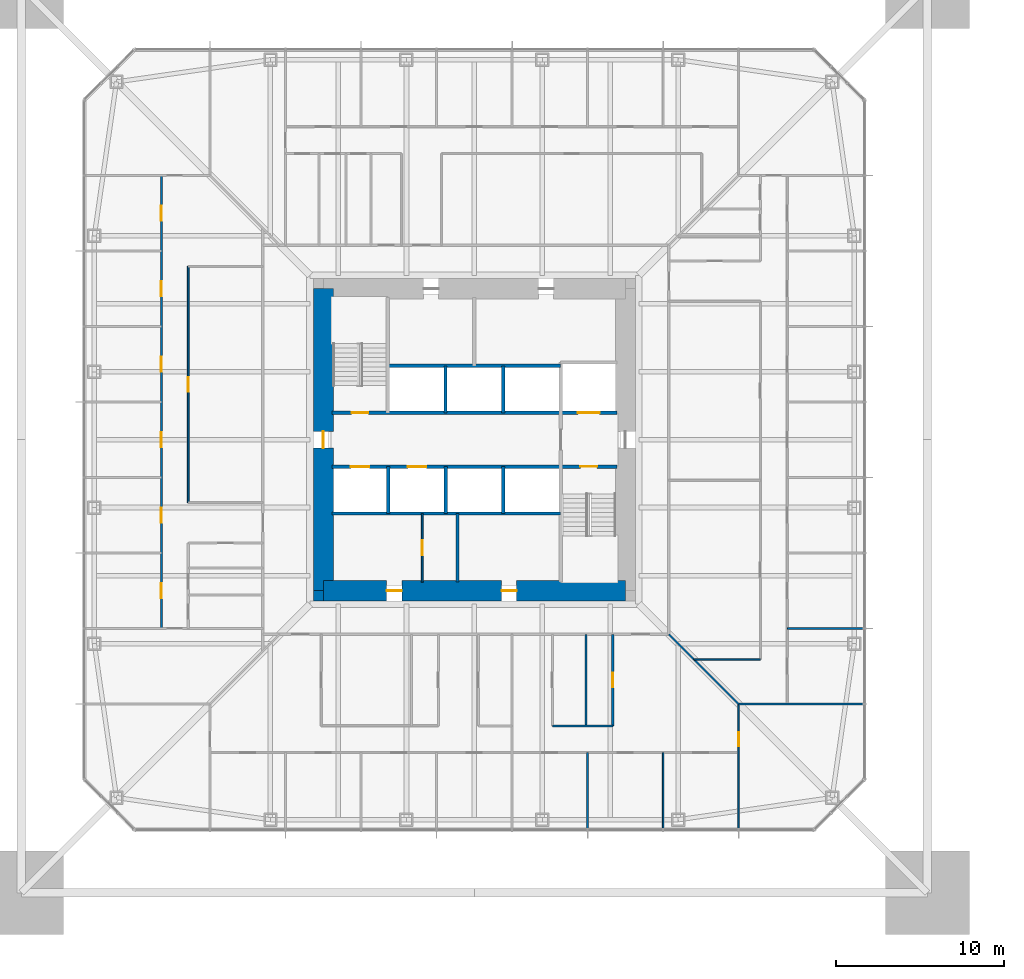
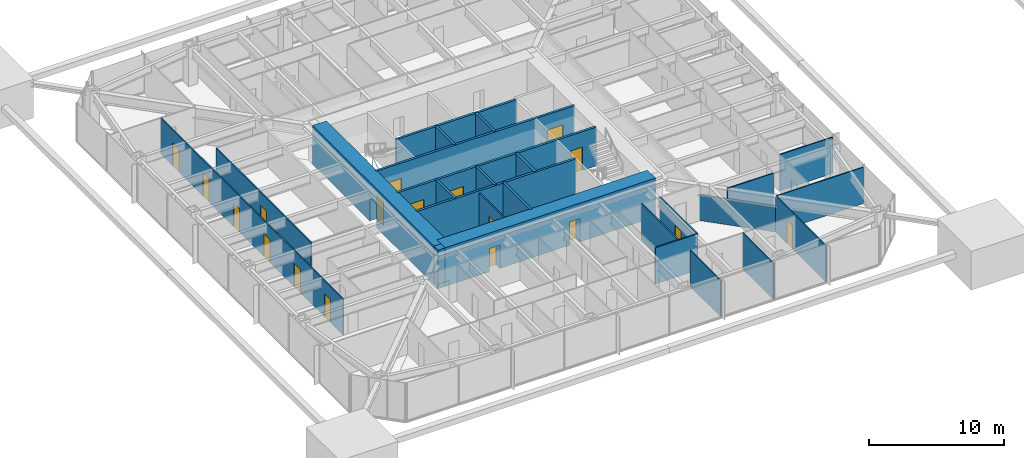
# One storey, part 16 of 27: 26 walls, 18 doors, 18 openings.
"""IFC4 building model written with IfcOpenShell, lengths in metres."""

from ifc_helpers import new_model, si_unit, direction, frame, frame_2d, origin, place, context, subcontext, project, spatial, rectangle, extrude, material, layer, layer_set, type_object, element, fill, save


model = new_model("IFC4")

# Units and contexts
model_context = context("Model", 3, precision=1e-05, world=origin(), true_north=direction((0.0, 1.0)))
body_context = subcontext(model_context, "Body", "Model", "MODEL_VIEW")
ifc_project = project(units=[si_unit("LENGTHUNIT", "METRE"), si_unit("AREAUNIT", "SQUARE_METRE"), si_unit("VOLUMEUNIT", "CUBIC_METRE"), si_unit("PLANEANGLEUNIT", "RADIAN"), si_unit("MASSUNIT", "GRAM", prefix="KILO")], contexts=[model_context])

# Site, building, storey
site_placement = place(None, origin())
site = spatial("IfcSite", under=ifc_project, at=site_placement, CompositionType="ELEMENT")
building_placement = place(site_placement, origin())
building = spatial("IfcBuilding", under=site, at=building_placement, Name="Iwan Alto Co-Living Towers", CompositionType="ELEMENT")
storey_placement = place(building_placement, frame((0.0, 0.0, 53.5)))
storey = spatial("IfcBuildingStorey", under=building, at=storey_placement, Name="L14", CompositionType="ELEMENT", Elevation=53.5)

# Walls
ifc_material_1 = material(Name="Gypsum board")
ifc_layer_1 = layer(ifc_material_1, 0.012451171875, Name="Board", Category="Finish")
ifc_material_2 = material(Name="Steel ASTM A1003 ST33H cold-formed studs", Category="steel")
ifc_layer_2 = layer(ifc_material_2, 0.074951171875, Name="Studs", Category="Framing")
ifc_layer_3 = layer(ifc_material_1, 0.012451171875, Name="Board", Category="Finish")
ifc_layer_set_1 = layer_set([ifc_layer_1, ifc_layer_2, ifc_layer_3], Name="PARTITION 100")
wall_type_1 = type_object("IfcWallType", Name="PARTITION 100", PredefinedType="PARTITIONING", material=ifc_layer_set_1)
wall_1_placement = place(storey_placement, frame((15.75, -15.75, 0.0), z_axis=(0.0, 0.0, 1.0), x_axis=(1.0, 0.0, 0.0)))
element("IfcWall", 1, at=wall_1_placement, inside=storey, type_object=wall_type_1, Name="Partition L14", PredefinedType="PARTITIONING", context=body_context, shape_type="SweptSolid", body=[
    extrude(rectangle(XDim=7.43994140625, YDim=0.10009765625, at=frame_2d((3.719970703125, 0.0))), origin(), (0.0, 0.0, 1.0), 3.27001953125),
])
wall_2_placement = place(storey_placement, frame((13.090087890625, -13.090087890625, 0.0), z_axis=(0.0, 0.0, 1.0), x_axis=(1.0, 0.0, 0.0)))
element("IfcWall", 2, at=wall_2_placement, inside=storey, type_object=wall_type_1, Name="Partition L14", PredefinedType="PARTITIONING", context=body_context, shape_type="SweptSolid", body=[
    extrude(rectangle(XDim=3.9599609375, YDim=0.10009765625, at=frame_2d((1.97998046875, 0.0))), origin(), (0.0, 0.0, 1.0), 3.27001953125),
])
wall_3_placement = place(storey_placement, frame((18.64990234375, -11.25, 0.0), z_axis=(0.0, 0.0, 1.0), x_axis=(1.0, 0.0, 0.0)))
element("IfcWall", 3, at=wall_3_placement, inside=storey, type_object=wall_type_1, Name="Partition L14", PredefinedType="PARTITIONING", context=body_context, shape_type="SweptSolid", body=[
    extrude(rectangle(XDim=4.5400390625, YDim=0.10009765625, at=frame_2d((2.27001953125, 0.0))), origin(), (0.0, 0.0, 1.0), 3.27001953125),
])

# Wall, opening, door
wall_4_placement = place(storey_placement, frame((15.75, -23.18994140625, 0.0), z_axis=(0.0, 0.0, 1.0), x_axis=(0.0, 1.0, 0.0)))
wall_4 = element("IfcWall", 4, at=wall_4_placement, inside=storey, type_object=wall_type_1, Name="Partition L14", PredefinedType="PARTITIONING", context=body_context, shape_type="SweptSolid", body=[
    extrude(rectangle(XDim=7.43994140625, YDim=0.10009765625, at=frame_2d((3.719970703125, 0.0))), origin(), (0.0, 0.0, 1.0), 3.27001953125),
])
opening_1_placement = place(wall_4_placement, frame((4.9150390625, 0.0, 0.0)))
opening_1 = element("IfcOpeningElement", 5, at=opening_1_placement, cuts=wall_4, Name="Opening D2", PredefinedType="OPENING", context=body_context, shape_type="SweptSolid", body=[
    extrude(rectangle(XDim=0.85009765625, YDim=2.10009765625, at=frame_2d((0.425048828125, 1.050048828125))), frame((0.0, 0.06005859375, 0.0), z_axis=(0.0, -1.0, 0.0), x_axis=(1.0, 0.0, 0.0)), (0.0, 0.0, 1.0), 0.1201171875),
])
ifc_material_3 = material(Name="Timber leaf in steel frame", Category="steel")
door_type_1 = type_object("IfcDoorType", Name="ROOM DOOR 850X2100", OperationType="SINGLE_SWING_LEFT", PredefinedType="DOOR", material=ifc_material_3)
door_1_placement = place(opening_1_placement, origin())
door_1 = element("IfcDoor", 6, at=door_1_placement, inside=storey, type_object=door_type_1, Name="Shared kitchen and dining room door L14", OperationType="SINGLE_SWING_LEFT", OverallHeight=2.10009765625, OverallWidth=0.85009765625, PredefinedType="DOOR", context=body_context, shape_type="SweptSolid", body=[
    extrude(rectangle(XDim=0.85009765625, YDim=2.10009765625, at=frame_2d((0.425048828125, 1.050048828125))), frame((0.0, 0.02490234375, 0.0), z_axis=(0.0, -1.0, 0.0), x_axis=(1.0, 0.0, 0.0)), (0.0, 0.0, 1.0), 0.050048828125),
])
fill(opening_1, door_1)

# Walls
for number, where, z_axis, x_axis, name in (
    (7, (11.25, -23.18994140625, 0.0), (0.0, 0.0, 1.0), (0.0, 1.0, 0.0), "Partition L14"),
    (8, (6.75, -23.18994140625, 0.0), (0.0, 0.0, 1.0), (0.0, 1.0, 0.0), "Partition L14"),
):
    element("IfcWall", number, at=place(storey_placement, frame(where, z_axis=z_axis, x_axis=x_axis)), inside=storey, type_object=wall_type_1, Name=name, PredefinedType="PARTITIONING", context=body_context, shape_type="SweptSolid", body=[
        extrude(rectangle(XDim=4.5400390625, YDim=0.10009765625, at=frame_2d((2.27001953125, 0.0))), origin(), (0.0, 0.0, 1.0), 3.27001953125),
    ])

# Wall, opening, door
wall_5_placement = place(storey_placement, frame((-3.10009765625, -8.489990234375, 0.0), z_axis=(0.0, 0.0, 1.0), x_axis=(0.0, 1.0, 0.0)))
wall_5 = element("IfcWall", 9, at=wall_5_placement, inside=storey, type_object=wall_type_1, Name="Partition L14", PredefinedType="PARTITIONING", context=body_context, shape_type="SweptSolid", body=[
    extrude(rectangle(XDim=4.090087890625, YDim=0.10009765625, at=frame_2d((2.044921875, 0.0))), origin(), (0.0, 0.0, 1.0), 3.300048828125),
])
opening_2_placement = place(wall_5_placement, frame((1.594970703125, 0.0, 0.0)))
opening_2 = element("IfcOpeningElement", 10, at=opening_2_placement, cuts=wall_5, Name="Opening D16", PredefinedType="OPENING", context=body_context, shape_type="SweptSolid", body=[
    extrude(rectangle(XDim=0.89990234375, YDim=2.10009765625, at=frame_2d((0.449951171875, 1.050048828125))), frame((0.0, 0.06005859375, 0.0), z_axis=(0.0, -1.0, 0.0), x_axis=(1.0, 0.0, 0.0)), (0.0, 0.0, 1.0), 0.1201171875),
])
ifc_material_4 = material(Name="Timber leaf in steel frame", Category="steel")
door_type_2 = type_object("IfcDoorType", Name="CUPBOARD SLIDING DOOR 900X2100", OperationType="SLIDING_TO_LEFT", PredefinedType="DOOR", material=ifc_material_4)
door_2_placement = place(opening_2_placement, origin())
door_2 = element("IfcDoor", 11, at=door_2_placement, inside=storey, type_object=door_type_2, Name="Recycling store door L14", OperationType="SLIDING_TO_LEFT", OverallHeight=2.10009765625, OverallWidth=0.89990234375, PredefinedType="DOOR", context=body_context, shape_type="SweptSolid", body=[
    extrude(rectangle(XDim=0.89990234375, YDim=2.10009765625, at=frame_2d((0.449951171875, 1.050048828125))), frame((0.0, 0.02490234375, 0.0), z_axis=(0.0, -1.0, 0.0), x_axis=(1.0, 0.0, 0.0)), (0.0, 0.0, 1.0), 0.050048828125),
])
fill(opening_2, door_2)

wall_6_placement = place(storey_placement, frame((-17.050048828125, -3.75, 0.0), z_axis=(0.0, 0.0, 1.0), x_axis=(0.0, 1.0, 0.0)))
wall_6 = element("IfcWall", 12, at=wall_6_placement, inside=storey, type_object=wall_type_1, Name="Partition L14", PredefinedType="PARTITIONING", context=body_context, shape_type="SweptSolid", body=[
    extrude(rectangle(XDim=14.080078125, YDim=0.10009765625, at=frame_2d((7.0400390625, 0.0))), origin(), (0.0, 0.0, 1.0), 3.27001953125),
])
opening_3_placement = place(wall_6_placement, frame((6.614990234375, 0.0, 0.0)))
opening_3 = element("IfcOpeningElement", 13, at=opening_3_placement, cuts=wall_6, Name="Opening D2", PredefinedType="OPENING", context=body_context, shape_type="SweptSolid", body=[
    extrude(rectangle(XDim=0.85009765625, YDim=2.10009765625, at=frame_2d((0.425048828125, 1.050048828125))), frame((0.0, 0.06005859375, 0.0), z_axis=(0.0, -1.0, 0.0), x_axis=(1.0, 0.0, 0.0)), (0.0, 0.0, 1.0), 0.1201171875),
])
door_3_placement = place(opening_3_placement, origin())
door_3 = element("IfcDoor", 14, at=door_3_placement, inside=storey, type_object=door_type_1, Name="Study lounge door L14", OperationType="SINGLE_SWING_RIGHT", OverallHeight=2.10009765625, OverallWidth=0.85009765625, PredefinedType="DOOR", context=body_context, shape_type="SweptSolid", body=[
    extrude(rectangle(XDim=0.85009765625, YDim=2.10009765625, at=frame_2d((0.425048828125, 1.050048828125))), frame((0.0, 0.02490234375, 0.0), z_axis=(0.0, -1.0, 0.0), x_axis=(1.0, 0.0, 0.0)), (0.0, 0.0, 1.0), 0.050048828125),
])
fill(opening_3, door_3)

# Wall, openings, doors
wall_7_placement = place(storey_placement, frame((-18.64990234375, -11.25, 0.0), z_axis=(0.0, 0.0, 1.0), x_axis=(0.0, 1.0, 0.0)))
wall_7 = element("IfcWall", 15, at=wall_7_placement, inside=storey, type_object=wall_type_1, Name="Partition L14", PredefinedType="PARTITIONING", context=body_context, shape_type="SweptSolid", body=[
    extrude(rectangle(XDim=27.0, YDim=0.10009765625, at=frame_2d((13.5, 0.0))), origin(), (0.0, 0.0, 1.0), 3.27001953125),
])
opening_4_placement = place(wall_7_placement, frame((24.300048828125, 0.0, 0.0)))
opening_4 = element("IfcOpeningElement", 16, at=opening_4_placement, cuts=wall_7, Name="Opening D1", PredefinedType="OPENING", context=body_context, shape_type="SweptSolid", body=[
    extrude(rectangle(XDim=0.89990234375, YDim=2.10009765625, at=frame_2d((0.449951171875, 1.050048828125))), frame((0.0, 0.06005859375, 0.0), z_axis=(0.0, -1.0, 0.0), x_axis=(1.0, 0.0, 0.0)), (0.0, 0.0, 1.0), 0.1201171875),
])
opening_5_placement = place(wall_7_placement, frame((19.800048828125, 0.0, 0.0)))
opening_5 = element("IfcOpeningElement", 17, at=opening_5_placement, cuts=wall_7, Name="Opening D1", PredefinedType="OPENING", context=body_context, shape_type="SweptSolid", body=[
    extrude(rectangle(XDim=0.89990234375, YDim=2.10009765625, at=frame_2d((0.449951171875, 1.050048828125))), frame((0.0, 0.06005859375, 0.0), z_axis=(0.0, -1.0, 0.0), x_axis=(1.0, 0.0, 0.0)), (0.0, 0.0, 1.0), 0.1201171875),
])
opening_6_placement = place(wall_7_placement, frame((15.300048828125, 0.0, 0.0)))
opening_6 = element("IfcOpeningElement", 18, at=opening_6_placement, cuts=wall_7, Name="Opening D1", PredefinedType="OPENING", context=body_context, shape_type="SweptSolid", body=[
    extrude(rectangle(XDim=0.89990234375, YDim=2.10009765625, at=frame_2d((0.449951171875, 1.050048828125))), frame((0.0, 0.06005859375, 0.0), z_axis=(0.0, -1.0, 0.0), x_axis=(1.0, 0.0, 0.0)), (0.0, 0.0, 1.0), 0.1201171875),
])
opening_7_placement = place(wall_7_placement, frame((10.800048828125, 0.0, 0.0)))
opening_7 = element("IfcOpeningElement", 19, at=opening_7_placement, cuts=wall_7, Name="Opening D1", PredefinedType="OPENING", context=body_context, shape_type="SweptSolid", body=[
    extrude(rectangle(XDim=0.89990234375, YDim=2.10009765625, at=frame_2d((0.449951171875, 1.050048828125))), frame((0.0, 0.06005859375, 0.0), z_axis=(0.0, -1.0, 0.0), x_axis=(1.0, 0.0, 0.0)), (0.0, 0.0, 1.0), 0.1201171875),
])
opening_8_placement = place(wall_7_placement, frame((6.300048828125, 0.0, 0.0)))
opening_8 = element("IfcOpeningElement", 20, at=opening_8_placement, cuts=wall_7, Name="Opening D1", PredefinedType="OPENING", context=body_context, shape_type="SweptSolid", body=[
    extrude(rectangle(XDim=0.89990234375, YDim=2.10009765625, at=frame_2d((0.449951171875, 1.050048828125))), frame((0.0, 0.06005859375, 0.0), z_axis=(0.0, -1.0, 0.0), x_axis=(1.0, 0.0, 0.0)), (0.0, 0.0, 1.0), 0.1201171875),
])
opening_9_placement = place(wall_7_placement, frame((1.800048828125, 0.0, 0.0)))
opening_9 = element("IfcOpeningElement", 21, at=opening_9_placement, cuts=wall_7, Name="Opening D1", PredefinedType="OPENING", context=body_context, shape_type="SweptSolid", body=[
    extrude(rectangle(XDim=0.89990234375, YDim=2.10009765625, at=frame_2d((0.449951171875, 1.050048828125))), frame((0.0, 0.06005859375, 0.0), z_axis=(0.0, -1.0, 0.0), x_axis=(1.0, 0.0, 0.0)), (0.0, 0.0, 1.0), 0.1201171875),
])
ifc_material_5 = material(Name="Timber leaf in steel frame", Category="steel")
door_type_3 = type_object("IfcDoorType", Name="BEDROOM DOOR 900X2100", OperationType="SINGLE_SWING_LEFT", PredefinedType="DOOR", material=ifc_material_5)
door_4_placement = place(opening_4_placement, frame((0.89990234375, 0.0, 0.0), z_axis=(0.0, 0.0, 1.0), x_axis=(-1.0, 0.0, 0.0)))
door_4 = element("IfcDoor", 22, at=door_4_placement, inside=storey, type_object=door_type_3, Name="Study bedroom door L14", OperationType="SINGLE_SWING_LEFT", OverallHeight=2.10009765625, OverallWidth=0.89990234375, PredefinedType="DOOR", context=body_context, shape_type="SweptSolid", body=[
    extrude(rectangle(XDim=0.89990234375, YDim=2.10009765625, at=frame_2d((0.449951171875, 1.050048828125))), frame((0.0, 0.02490234375, 0.0), z_axis=(0.0, -1.0, 0.0), x_axis=(1.0, 0.0, 0.0)), (0.0, 0.0, 1.0), 0.050048828125),
])
fill(opening_4, door_4)
door_5_placement = place(opening_5_placement, frame((0.89990234375, 0.0, 0.0), z_axis=(0.0, 0.0, 1.0), x_axis=(-1.0, 0.0, 0.0)))
door_5 = element("IfcDoor", 23, at=door_5_placement, inside=storey, type_object=door_type_3, Name="Study bedroom door L14", OperationType="SINGLE_SWING_LEFT", OverallHeight=2.10009765625, OverallWidth=0.89990234375, PredefinedType="DOOR", context=body_context, shape_type="SweptSolid", body=[
    extrude(rectangle(XDim=0.89990234375, YDim=2.10009765625, at=frame_2d((0.449951171875, 1.050048828125))), frame((0.0, 0.02490234375, 0.0), z_axis=(0.0, -1.0, 0.0), x_axis=(1.0, 0.0, 0.0)), (0.0, 0.0, 1.0), 0.050048828125),
])
fill(opening_5, door_5)
door_6_placement = place(opening_6_placement, frame((0.89990234375, 0.0, 0.0), z_axis=(0.0, 0.0, 1.0), x_axis=(-1.0, 0.0, 0.0)))
door_6 = element("IfcDoor", 24, at=door_6_placement, inside=storey, type_object=door_type_3, Name="Study bedroom door L14", OperationType="SINGLE_SWING_LEFT", OverallHeight=2.10009765625, OverallWidth=0.89990234375, PredefinedType="DOOR", context=body_context, shape_type="SweptSolid", body=[
    extrude(rectangle(XDim=0.89990234375, YDim=2.10009765625, at=frame_2d((0.449951171875, 1.050048828125))), frame((0.0, 0.02490234375, 0.0), z_axis=(0.0, -1.0, 0.0), x_axis=(1.0, 0.0, 0.0)), (0.0, 0.0, 1.0), 0.050048828125),
])
fill(opening_6, door_6)
door_7_placement = place(opening_7_placement, frame((0.89990234375, 0.0, 0.0), z_axis=(0.0, 0.0, 1.0), x_axis=(-1.0, 0.0, 0.0)))
door_7 = element("IfcDoor", 25, at=door_7_placement, inside=storey, type_object=door_type_3, Name="Study bedroom door L14", OperationType="SINGLE_SWING_RIGHT", OverallHeight=2.10009765625, OverallWidth=0.89990234375, PredefinedType="DOOR", context=body_context, shape_type="SweptSolid", body=[
    extrude(rectangle(XDim=0.89990234375, YDim=2.10009765625, at=frame_2d((0.449951171875, 1.050048828125))), frame((0.0, 0.02490234375, 0.0), z_axis=(0.0, -1.0, 0.0), x_axis=(1.0, 0.0, 0.0)), (0.0, 0.0, 1.0), 0.050048828125),
])
fill(opening_7, door_7)
door_8_placement = place(opening_8_placement, frame((0.89990234375, 0.0, 0.0), z_axis=(0.0, 0.0, 1.0), x_axis=(-1.0, 0.0, 0.0)))
door_8 = element("IfcDoor", 26, at=door_8_placement, inside=storey, type_object=door_type_3, Name="Study bedroom door L14", OperationType="SINGLE_SWING_RIGHT", OverallHeight=2.10009765625, OverallWidth=0.89990234375, PredefinedType="DOOR", context=body_context, shape_type="SweptSolid", body=[
    extrude(rectangle(XDim=0.89990234375, YDim=2.10009765625, at=frame_2d((0.449951171875, 1.050048828125))), frame((0.0, 0.02490234375, 0.0), z_axis=(0.0, -1.0, 0.0), x_axis=(1.0, 0.0, 0.0)), (0.0, 0.0, 1.0), 0.050048828125),
])
fill(opening_8, door_8)
door_9_placement = place(opening_9_placement, frame((0.89990234375, 0.0, 0.0), z_axis=(0.0, 0.0, 1.0), x_axis=(-1.0, 0.0, 0.0)))
door_9 = element("IfcDoor", 27, at=door_9_placement, inside=storey, type_object=door_type_3, Name="Study bedroom door L14", OperationType="SINGLE_SWING_RIGHT", OverallHeight=2.10009765625, OverallWidth=0.89990234375, PredefinedType="DOOR", context=body_context, shape_type="SweptSolid", body=[
    extrude(rectangle(XDim=0.89990234375, YDim=2.10009765625, at=frame_2d((0.449951171875, 1.050048828125))), frame((0.0, 0.02490234375, 0.0), z_axis=(0.0, -1.0, 0.0), x_axis=(1.0, 0.0, 0.0)), (0.0, 0.0, 1.0), 0.050048828125),
])
fill(opening_9, door_9)

# Walls
wall_8_placement = place(storey_placement, frame((15.75, -15.75, 0.0), z_axis=(0.0, 0.0, 1.0), x_axis=(-0.707106781187, 0.707106781187, 0.0)))
element("IfcWall", 28, at=wall_8_placement, inside=storey, type_object=wall_type_1, Name="Partition L14", PredefinedType="PARTITIONING", context=body_context, shape_type="SweptSolid", body=[
    extrude(rectangle(XDim=5.868896484375, YDim=0.10009765625, at=frame_2d((2.9345703125, 0.0))), origin(), (0.0, 0.0, 1.0), 2.343017578125),
])
ifc_material_6 = material(Name="Concrete f'c 70 MPa", Category="concrete")
ifc_layer_4 = layer(ifc_material_6, 0.199951171875)
ifc_layer_set_2 = layer_set([ifc_layer_4], Name="SHAFT WALL 200")
wall_type_2 = type_object("IfcWallType", Name="SHAFT WALL 200", PredefinedType="SOLIDWALL", material=ifc_layer_set_2)
wall_9_placement = place(storey_placement, frame((-8.489990234375, -4.39990234375, 0.0), z_axis=(0.0, 0.0, 1.0), x_axis=(1.0, 0.0, 0.0)))
element("IfcWall", 29, at=wall_9_placement, inside=storey, type_object=wall_type_2, Name="Shaft wall L14", PredefinedType="SOLIDWALL", context=body_context, shape_type="SweptSolid", body=[
    extrude(rectangle(XDim=13.639892578125, YDim=0.199951171875, at=frame_2d((6.81982421875, 0.0))), origin(), (0.0, 0.0, 1.0), 3.5),
])

# Wall, openings, doors
wall_10_placement = place(storey_placement, frame((-8.489990234375, -1.60009765625, 0.0), z_axis=(0.0, 0.0, 1.0), x_axis=(1.0, 0.0, 0.0)))
wall_10 = element("IfcWall", 30, at=wall_10_placement, inside=storey, type_object=wall_type_2, Name="Shaft wall L14", PredefinedType="SOLIDWALL", context=body_context, shape_type="SweptSolid", body=[
    extrude(rectangle(XDim=16.97998046875, YDim=0.199951171875, at=frame_2d((8.489990234375, 0.0))), origin(), (0.0, 0.0, 1.0), 3.5),
])
opening_10_placement = place(wall_10_placement, frame((14.81005859375, 0.0, 0.0)))
opening_10 = element("IfcOpeningElement", 31, at=opening_10_placement, cuts=wall_10, Name="Opening D5", PredefinedType="OPENING", context=body_context, shape_type="SweptSolid", body=[
    extrude(rectangle(XDim=1.0, YDim=2.10009765625, at=frame_2d((0.5, 1.050048828125))), frame((0.0, 0.10986328125, 0.0), z_axis=(0.0, -1.0, 0.0), x_axis=(1.0, 0.0, 0.0)), (0.0, 0.0, 1.0), 0.219970703125),
])
opening_11_placement = place(wall_10_placement, frame((1.133056640625, 0.0, 0.0)))
opening_11 = element("IfcOpeningElement", 32, at=opening_11_placement, cuts=wall_10, Name="Opening LD", PredefinedType="OPENING", context=body_context, shape_type="SweptSolid", body=[
    extrude(rectangle(XDim=1.10009765625, YDim=2.10009765625, at=frame_2d((0.550048828125, 1.050048828125))), frame((0.0, 0.10986328125, 0.0), z_axis=(0.0, -1.0, 0.0), x_axis=(1.0, 0.0, 0.0)), (0.0, 0.0, 1.0), 0.219970703125),
])
opening_12_placement = place(wall_10_placement, frame((4.528076171875, 0.0, 0.0)))
opening_12 = element("IfcOpeningElement", 33, at=opening_12_placement, cuts=wall_10, Name="Opening LD", PredefinedType="OPENING", context=body_context, shape_type="SweptSolid", body=[
    extrude(rectangle(XDim=1.10009765625, YDim=2.10009765625, at=frame_2d((0.550048828125, 1.050048828125))), frame((0.0, 0.10986328125, 0.0), z_axis=(0.0, -1.0, 0.0), x_axis=(1.0, 0.0, 0.0)), (0.0, 0.0, 1.0), 0.219970703125),
])
ifc_material_7 = material(Name="Steel frame with timber leaf", Category="steel")
door_type_4 = type_object("IfcDoorType", Name="LIFT LANDING DOOR 1100X2100", OperationType="DOUBLE_DOOR_SLIDING", PredefinedType="DOOR", material=ifc_material_7)
door_10_placement = place(opening_11_placement, origin())
door_10 = element("IfcDoor", 34, at=door_10_placement, inside=storey, type_object=door_type_4, Name="Lift P1-1 landing door L14", OperationType="DOUBLE_DOOR_SLIDING", OverallHeight=2.10009765625, OverallWidth=1.10009765625, PredefinedType="DOOR", context=body_context, shape_type="SweptSolid", body=[
    extrude(rectangle(XDim=1.10009765625, YDim=2.10009765625, at=frame_2d((0.550048828125, 1.050048828125))), frame((0.0, 0.02490234375, 0.0), z_axis=(0.0, -1.0, 0.0), x_axis=(1.0, 0.0, 0.0)), (0.0, 0.0, 1.0), 0.050048828125),
])
fill(opening_11, door_10)
door_11_placement = place(opening_12_placement, origin())
door_11 = element("IfcDoor", 35, at=door_11_placement, inside=storey, type_object=door_type_4, Name="Lift P1-2 landing door L14", OperationType="DOUBLE_DOOR_SLIDING", OverallHeight=2.10009765625, OverallWidth=1.10009765625, PredefinedType="DOOR", context=body_context, shape_type="SweptSolid", body=[
    extrude(rectangle(XDim=1.10009765625, YDim=2.10009765625, at=frame_2d((0.550048828125, 1.050048828125))), frame((0.0, 0.02490234375, 0.0), z_axis=(0.0, -1.0, 0.0), x_axis=(1.0, 0.0, 0.0)), (0.0, 0.0, 1.0), 0.050048828125),
])
fill(opening_12, door_11)
ifc_material_8 = material(Name="Steel frame with timber leaf", Category="steel")
door_type_5 = type_object("IfcDoorType", Name="STAIR DOOR FD120S 1000X2100", OperationType="SINGLE_SWING_LEFT", PredefinedType="DOOR", material=ifc_material_8)
door_12_placement = place(opening_10_placement, frame((1.0, 0.0, 0.0), z_axis=(0.0, 0.0, 1.0), x_axis=(-1.0, 0.0, 0.0)))
door_12 = element("IfcDoor", 36, at=door_12_placement, inside=storey, type_object=door_type_5, Name="Stair S2 door L14", OperationType="SINGLE_SWING_RIGHT", OverallHeight=2.10009765625, OverallWidth=1.0, PredefinedType="DOOR", context=body_context, shape_type="SweptSolid", body=[
    extrude(rectangle(XDim=1.0, YDim=2.10009765625, at=frame_2d((0.5, 1.050048828125))), frame((0.0, 0.02490234375, 0.0), z_axis=(0.0, -1.0, 0.0), x_axis=(1.0, 0.0, 0.0)), (0.0, 0.0, 1.0), 0.050048828125),
])
fill(opening_10, door_12)

wall_11_placement = place(storey_placement, frame((-8.489990234375, 1.60009765625, 0.0), z_axis=(0.0, 0.0, 1.0), x_axis=(1.0, 0.0, 0.0)))
wall_11 = element("IfcWall", 37, at=wall_11_placement, inside=storey, type_object=wall_type_2, Name="Shaft wall L14", PredefinedType="SOLIDWALL", context=body_context, shape_type="SweptSolid", body=[
    extrude(rectangle(XDim=16.97998046875, YDim=0.199951171875, at=frame_2d((8.489990234375, 0.0))), origin(), (0.0, 0.0, 1.0), 3.5),
])
opening_13_placement = place(wall_11_placement, frame((1.169921875, 0.0, 0.0)))
opening_13 = element("IfcOpeningElement", 38, at=opening_13_placement, cuts=wall_11, Name="Opening D5", PredefinedType="OPENING", context=body_context, shape_type="SweptSolid", body=[
    extrude(rectangle(XDim=1.0, YDim=2.10009765625, at=frame_2d((0.5, 1.050048828125))), frame((0.0, 0.10986328125, 0.0), z_axis=(0.0, -1.0, 0.0), x_axis=(1.0, 0.0, 0.0)), (0.0, 0.0, 1.0), 0.219970703125),
])
opening_14_placement = place(wall_11_placement, frame((14.659912109375, 0.0, 0.0)))
opening_14 = element("IfcOpeningElement", 39, at=opening_14_placement, cuts=wall_11, Name="Opening LD2", PredefinedType="OPENING", context=body_context, shape_type="SweptSolid", body=[
    extrude(rectangle(XDim=1.300048828125, YDim=2.10009765625, at=frame_2d((0.64990234375, 1.050048828125))), frame((0.0, 0.10986328125, 0.0), z_axis=(0.0, -1.0, 0.0), x_axis=(1.0, 0.0, 0.0)), (0.0, 0.0, 1.0), 0.219970703125),
])
ifc_material_9 = material(Name="Steel frame with timber leaf", Category="steel")
door_type_6 = type_object("IfcDoorType", Name="LIFT LANDING DOOR 1300X2100", OperationType="SLIDING_TO_LEFT", PredefinedType="DOOR", material=ifc_material_9)
door_13_placement = place(opening_14_placement, origin())
door_13 = element("IfcDoor", 40, at=door_13_placement, inside=storey, type_object=door_type_6, Name="Lift FL1 landing door L14", OperationType="SLIDING_TO_LEFT", OverallHeight=2.10009765625, OverallWidth=1.300048828125, PredefinedType="DOOR", context=body_context, shape_type="SweptSolid", body=[
    extrude(rectangle(XDim=1.300048828125, YDim=2.10009765625, at=frame_2d((0.64990234375, 1.050048828125))), frame((0.0, 0.02490234375, 0.0), z_axis=(0.0, -1.0, 0.0), x_axis=(1.0, 0.0, 0.0)), (0.0, 0.0, 1.0), 0.050048828125),
])
fill(opening_14, door_13)
door_14_placement = place(opening_13_placement, origin())
door_14 = element("IfcDoor", 41, at=door_14_placement, inside=storey, type_object=door_type_5, Name="Stair S1 door L14", OperationType="SINGLE_SWING_RIGHT", OverallHeight=2.10009765625, OverallWidth=1.0, PredefinedType="DOOR", context=body_context, shape_type="SweptSolid", body=[
    extrude(rectangle(XDim=1.0, YDim=2.10009765625, at=frame_2d((0.5, 1.050048828125))), frame((0.0, 0.02490234375, 0.0), z_axis=(0.0, -1.0, 0.0), x_axis=(1.0, 0.0, 0.0)), (0.0, 0.0, 1.0), 0.050048828125),
])
fill(opening_13, door_14)

# Walls
wall_12_placement = place(storey_placement, frame((-5.14990234375, 4.39990234375, 0.0), z_axis=(0.0, 0.0, 1.0), x_axis=(1.0, 0.0, 0.0)))
element("IfcWall", 42, at=wall_12_placement, inside=storey, type_object=wall_type_2, Name="Shaft wall L14", PredefinedType="SOLIDWALL", context=body_context, shape_type="SweptSolid", body=[
    extrude(rectangle(XDim=10.2998046875, YDim=0.199951171875, at=frame_2d((5.14990234375, 0.0))), origin(), (0.0, 0.0, 1.0), 3.5),
])
for number, where, z_axis, x_axis, name in (
    (43, (1.72509765625, -4.39990234375, 0.0), (0.0, 0.0, 1.0), (0.0, 1.0, 0.0), "Shaft wall L14"),
    (44, (1.717041015625, 1.60009765625, 0.0), (0.0, 0.0, 1.0), (0.0, 1.0, 0.0), "Shaft wall L14"),
):
    element("IfcWall", number, at=place(storey_placement, frame(where, z_axis=z_axis, x_axis=x_axis)), inside=storey, type_object=wall_type_2, Name=name, PredefinedType="SOLIDWALL", context=body_context, shape_type="SweptSolid", body=[
        extrude(rectangle(XDim=2.7998046875, YDim=0.199951171875, at=frame_2d((1.39990234375, 0.0))), origin(), (0.0, 0.0, 1.0), 3.5),
    ])
wall_13_placement = place(storey_placement, frame((-1.0, -8.489990234375, 0.0), z_axis=(0.0, 0.0, 1.0), x_axis=(0.0, 1.0, 0.0)))
element("IfcWall", 45, at=wall_13_placement, inside=storey, type_object=wall_type_2, Name="Shaft wall L14", PredefinedType="SOLIDWALL", context=body_context, shape_type="SweptSolid", body=[
    extrude(rectangle(XDim=4.090087890625, YDim=0.199951171875, at=frame_2d((2.044921875, 0.0))), origin(), (0.0, 0.0, 1.0), 3.5),
])
for number, where, z_axis, x_axis, name in (
    (46, (-1.699951171875, -4.39990234375, 0.0), (0.0, 0.0, 1.0), (0.0, 1.0, 0.0), "Shaft wall L14"),
    (47, (-1.717041015625, 1.60009765625, 0.0), (0.0, 0.0, 1.0), (0.0, 1.0, 0.0), "Shaft wall L14"),
    (48, (-5.125, -4.39990234375, 0.0), (0.0, 0.0, 1.0), (0.0, 1.0, 0.0), "Shaft wall L14"),
):
    element("IfcWall", number, at=place(storey_placement, frame(where, z_axis=z_axis, x_axis=x_axis)), inside=storey, type_object=wall_type_2, Name=name, PredefinedType="SOLIDWALL", context=body_context, shape_type="SweptSolid", body=[
        extrude(rectangle(XDim=2.7998046875, YDim=0.199951171875, at=frame_2d((1.39990234375, 0.0))), origin(), (0.0, 0.0, 1.0), 3.5),
    ])
ifc_material_10 = material(Name="Concrete f'c 70 MPa", Category="concrete")
ifc_layer_5 = layer(ifc_material_10, 0.60009765625)
ifc_layer_set_3 = layer_set([ifc_layer_5], Name="T1 CORE CORNER FILL 600")
wall_type_3 = type_object("IfcWallType", Name="T1 CORE CORNER FILL 600", PredefinedType="SOLIDWALL", material=ifc_layer_set_3)
wall_14_placement = place(storey_placement, frame((-9.60009765625, -9.300048828125, 0.0), z_axis=(0.0, 0.0, 1.0), x_axis=(1.0, 0.0, 0.0)))
element("IfcWall", 49, at=wall_14_placement, inside=storey, type_object=wall_type_3, Name="T1 core corner SW L14", PredefinedType="SOLIDWALL", context=body_context, shape_type="SweptSolid", body=[
    extrude(rectangle(XDim=0.60009765625, YDim=0.60009765625, at=frame_2d((0.300048828125, 0.0))), origin(), (0.0, 0.0, 1.0), 3.5),
])

# Wall, openings, doors
ifc_material_11 = material(Name="Concrete f'c 70 MPa", Category="concrete")
ifc_layer_6 = layer(ifc_material_11, 1.199951171875)
ifc_layer_set_4 = layer_set([ifc_layer_6], Name="T1 CORE WALL 1200")
wall_type_4 = type_object("IfcWallType", Name="T1 CORE WALL 1200", PredefinedType="SHEAR", material=ifc_layer_set_4)
wall_15_placement = place(storey_placement, frame((-9.0, -9.0, 0.0), z_axis=(0.0, 0.0, 1.0), x_axis=(1.0, 0.0, 0.0)))
wall_15 = element("IfcWall", 50, at=wall_15_placement, inside=storey, type_object=wall_type_4, Name="T1 core wall S L14", PredefinedType="SHEAR", context=body_context, shape_type="SweptSolid", body=[
    extrude(rectangle(XDim=18.0, YDim=1.199951171875, at=frame_2d((9.0, 0.0))), origin(), (0.0, 0.0, 1.0), 3.5),
])
opening_15_placement = place(wall_15_placement, frame((3.77490234375, 0.0, 0.0)))
opening_15 = element("IfcOpeningElement", 51, at=opening_15_placement, cuts=wall_15, Name="Opening D8", PredefinedType="OPENING", context=body_context, shape_type="SweptSolid", body=[
    extrude(rectangle(XDim=0.89990234375, YDim=2.10009765625, at=frame_2d((0.449951171875, 1.050048828125))), frame((0.0, 0.60986328125, 0.0), z_axis=(0.0, -1.0, 0.0), x_axis=(1.0, 0.0, 0.0)), (0.0, 0.0, 1.0), 1.219970703125),
])
opening_16_placement = place(wall_15_placement, frame((10.625, 0.0, 0.0)))
opening_16 = element("IfcOpeningElement", 52, at=opening_16_placement, cuts=wall_15, Name="Opening D8", PredefinedType="OPENING", context=body_context, shape_type="SweptSolid", body=[
    extrude(rectangle(XDim=0.89990234375, YDim=2.10009765625, at=frame_2d((0.449951171875, 1.050048828125))), frame((0.0, 0.60986328125, 0.0), z_axis=(0.0, -1.0, 0.0), x_axis=(1.0, 0.0, 0.0)), (0.0, 0.0, 1.0), 1.219970703125),
])
ifc_material_12 = material(Name="Steel frame with timber leaf", Category="steel")
door_type_7 = type_object("IfcDoorType", Name="RISER DOOR FD120 900X2100", OperationType="SINGLE_SWING_LEFT", PredefinedType="DOOR", material=ifc_material_12)
door_15_placement = place(opening_15_placement, origin())
door_15 = element("IfcDoor", 53, at=door_15_placement, inside=storey, type_object=door_type_7, Name="Refuse room core door L14", OperationType="SINGLE_SWING_RIGHT", OverallHeight=2.10009765625, OverallWidth=0.89990234375, PredefinedType="DOOR", context=body_context, shape_type="SweptSolid", body=[
    extrude(rectangle(XDim=0.89990234375, YDim=2.10009765625, at=frame_2d((0.449951171875, 1.050048828125))), frame((0.0, 0.02490234375, 0.0), z_axis=(0.0, -1.0, 0.0), x_axis=(1.0, 0.0, 0.0)), (0.0, 0.0, 1.0), 0.050048828125),
])
fill(opening_15, door_15)
door_16_placement = place(opening_16_placement, origin())
door_16 = element("IfcDoor", 54, at=door_16_placement, inside=storey, type_object=door_type_7, Name="Telecom riser core door L14", OperationType="SINGLE_SWING_LEFT", OverallHeight=2.10009765625, OverallWidth=0.89990234375, PredefinedType="DOOR", context=body_context, shape_type="SweptSolid", body=[
    extrude(rectangle(XDim=0.89990234375, YDim=2.10009765625, at=frame_2d((0.449951171875, 1.050048828125))), frame((0.0, 0.02490234375, 0.0), z_axis=(0.0, -1.0, 0.0), x_axis=(1.0, 0.0, 0.0)), (0.0, 0.0, 1.0), 0.050048828125),
])
fill(opening_16, door_16)

# Wall, opening, door
wall_16_placement = place(storey_placement, frame((-9.0, 9.0, 0.0), z_axis=(0.0, 0.0, 1.0), x_axis=(0.0, -1.0, 0.0)))
wall_16 = element("IfcWall", 55, at=wall_16_placement, inside=storey, type_object=wall_type_4, Name="T1 core wall W L14", PredefinedType="SHEAR", context=body_context, shape_type="SweptSolid", body=[
    extrude(rectangle(XDim=18.0, YDim=1.199951171875, at=frame_2d((9.0, 0.0))), origin(), (0.0, 0.0, 1.0), 3.5),
])
opening_17_placement = place(wall_16_placement, frame((8.5, 0.0, 0.0)))
opening_17 = element("IfcOpeningElement", 56, at=opening_17_placement, cuts=wall_16, Name="Opening D7", PredefinedType="OPENING", context=body_context, shape_type="SweptSolid", body=[
    extrude(rectangle(XDim=1.0, YDim=2.10009765625, at=frame_2d((0.5, 1.050048828125))), frame((0.0, 0.60986328125, 0.0), z_axis=(0.0, -1.0, 0.0), x_axis=(1.0, 0.0, 0.0)), (0.0, 0.0, 1.0), 1.219970703125),
])
ifc_material_13 = material(Name="Steel frame with timber leaf", Category="steel")
door_type_8 = type_object("IfcDoorType", Name="CORE DOOR FD120S 1000X2100", OperationType="SINGLE_SWING_LEFT", PredefinedType="DOOR", material=ifc_material_13)
door_17_placement = place(opening_17_placement, origin())
door_17 = element("IfcDoor", 57, at=door_17_placement, inside=storey, type_object=door_type_8, Name="Lift lobby core door L14", OperationType="SINGLE_SWING_RIGHT", OverallHeight=2.10009765625, OverallWidth=1.0, PredefinedType="DOOR", context=body_context, shape_type="SweptSolid", body=[
    extrude(rectangle(XDim=1.0, YDim=2.10009765625, at=frame_2d((0.5, 1.050048828125))), frame((0.0, 0.02490234375, 0.0), z_axis=(0.0, -1.0, 0.0), x_axis=(1.0, 0.0, 0.0)), (0.0, 0.0, 1.0), 0.050048828125),
])
fill(opening_17, door_17)

# Wall
ifc_material_14 = material(Name="Cement board")
ifc_layer_7 = layer(ifc_material_14, 0.012451171875, Name="Board", Category="Finish")
ifc_layer_8 = layer(ifc_material_2, 0.094970703125, Name="Studs", Category="Framing")
ifc_layer_9 = layer(ifc_material_14, 0.012451171875, Name="Board", Category="Finish")
ifc_layer_set_5 = layer_set([ifc_layer_7, ifc_layer_8, ifc_layer_9], Name="WET AREA PARTITION 120")
wall_type_5 = type_object("IfcWallType", Name="WET AREA PARTITION 120", PredefinedType="PARTITIONING", material=ifc_layer_set_5)
wall_17_placement = place(storey_placement, frame((4.64990234375, -17.050048828125, 0.0), z_axis=(0.0, 0.0, 1.0), x_axis=(1.0, 0.0, 0.0)))
element("IfcWall", 58, at=wall_17_placement, inside=storey, type_object=wall_type_5, Name="Partition L14", PredefinedType="PARTITIONING", context=body_context, shape_type="SweptSolid", body=[
    extrude(rectangle(XDim=3.60009765625, YDim=0.1201171875, at=frame_2d((1.800048828125, 0.0))), origin(), (0.0, 0.0, 1.0), 3.27001953125),
])

# Wall, opening, door
wall_18_placement = place(storey_placement, frame((8.25, -17.050048828125, 0.0), z_axis=(0.0, 0.0, 1.0), x_axis=(0.0, 1.0, 0.0)))
wall_18 = element("IfcWall", 59, at=wall_18_placement, inside=storey, type_object=wall_type_5, Name="Partition L14", PredefinedType="PARTITIONING", context=body_context, shape_type="SweptSolid", body=[
    extrude(rectangle(XDim=5.449951171875, YDim=0.1201171875, at=frame_2d((2.72509765625, 0.0))), origin(), (0.0, 0.0, 1.0), 3.27001953125),
])
opening_18_placement = place(wall_18_placement, frame((2.300048828125, 0.0, 0.0)))
opening_18 = element("IfcOpeningElement", 60, at=opening_18_placement, cuts=wall_18, Name="Opening D2", PredefinedType="OPENING", context=body_context, shape_type="SweptSolid", body=[
    extrude(rectangle(XDim=0.85009765625, YDim=2.10009765625, at=frame_2d((0.425048828125, 1.050048828125))), frame((0.0, 0.070068359375, 0.0), z_axis=(0.0, -1.0, 0.0), x_axis=(1.0, 0.0, 0.0)), (0.0, 0.0, 1.0), 0.14013671875),
])
door_18_placement = place(opening_18_placement, frame((0.85009765625, 0.0, 0.0), z_axis=(0.0, 0.0, 1.0), x_axis=(-1.0, 0.0, 0.0)))
door_18 = element("IfcDoor", 61, at=door_18_placement, inside=storey, type_object=door_type_1, Name="Accessible bathroom door L14", OperationType="SINGLE_SWING_LEFT", OverallHeight=2.10009765625, OverallWidth=0.85009765625, PredefinedType="DOOR", context=body_context, shape_type="SweptSolid", body=[
    extrude(rectangle(XDim=0.85009765625, YDim=2.10009765625, at=frame_2d((0.425048828125, 1.050048828125))), frame((0.0, 0.02490234375, 0.0), z_axis=(0.0, -1.0, 0.0), x_axis=(1.0, 0.0, 0.0)), (0.0, 0.0, 1.0), 0.050048828125),
])
fill(opening_18, door_18)

# Wall
wall_19_placement = place(storey_placement, frame((6.64990234375, -17.050048828125, 0.0), z_axis=(0.0, 0.0, 1.0), x_axis=(0.0, 1.0, 0.0)))
element("IfcWall", 62, at=wall_19_placement, inside=storey, type_object=wall_type_5, Name="Partition L14", PredefinedType="PARTITIONING", context=body_context, shape_type="SweptSolid", body=[
    extrude(rectangle(XDim=5.449951171875, YDim=0.1201171875, at=frame_2d((2.72509765625, 0.0))), origin(), (0.0, 0.0, 1.0), 3.27001953125),
])

save(model, "model.ifc")
